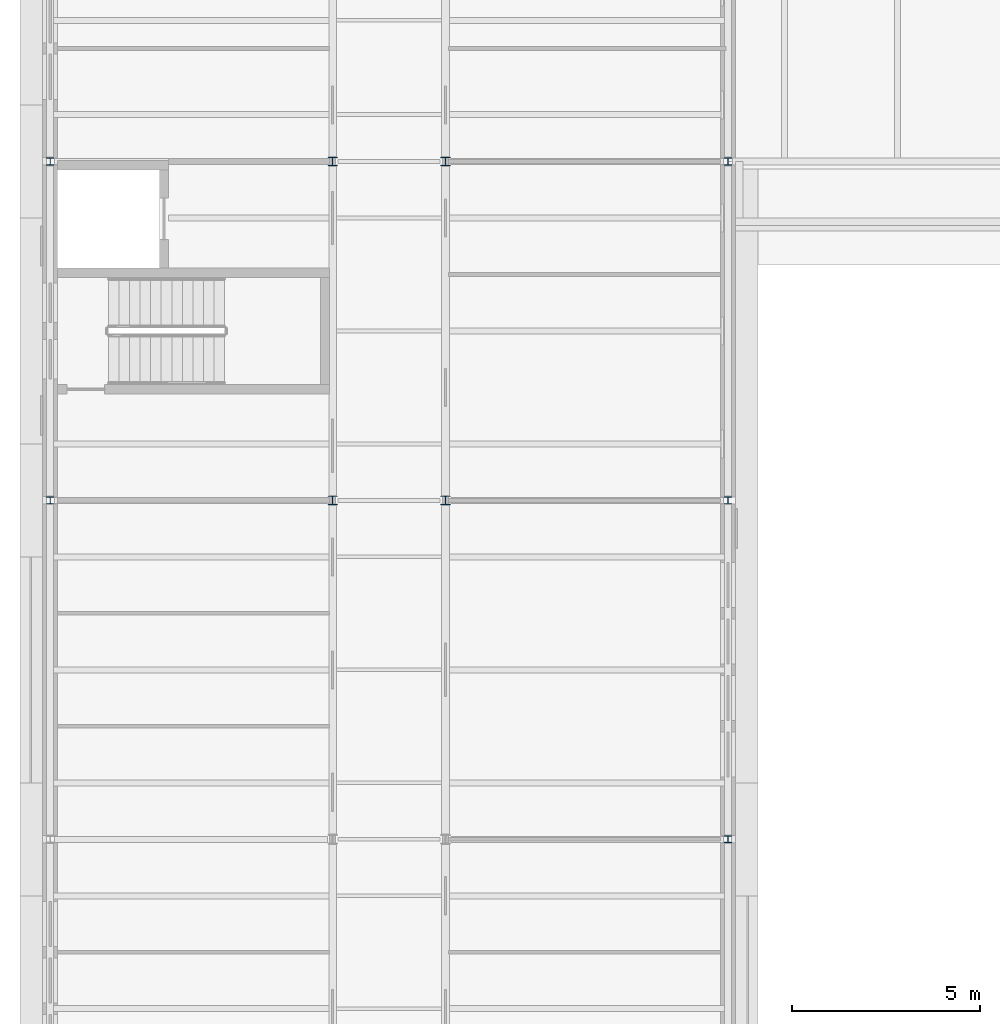
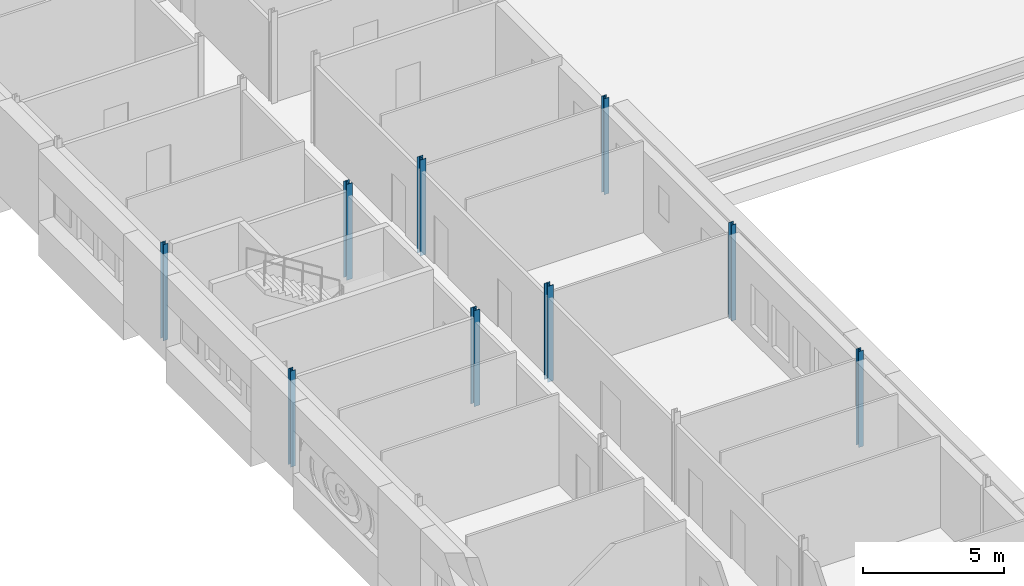
# One storey, part 4 of 42: 9 columns.
"""IFC4 building model written with IfcOpenShell, lengths in metres."""

from ifc_helpers import new_model, si_unit, direction, frame, origin, origin_2d, place, context, subcontext, project, spatial, i_section, extrude, material, material_profile, profile_set, type_object, element, save


model = new_model("IFC4")

# Units and contexts
model_context = context("Model", 3, precision=1e-05, world=origin(), true_north=direction((0.0, 1.0)))
body_context = subcontext(model_context, "Body", "Model", "MODEL_VIEW")
ifc_project = project(units=[si_unit("LENGTHUNIT", "METRE"), si_unit("AREAUNIT", "SQUARE_METRE"), si_unit("VOLUMEUNIT", "CUBIC_METRE"), si_unit("PLANEANGLEUNIT", "RADIAN"), si_unit("MASSUNIT", "GRAM", prefix="KILO")], contexts=[model_context])

# Site, building, storey
site_placement = place(None, origin())
site = spatial("IfcSite", under=ifc_project, at=site_placement, CompositionType="ELEMENT")
building_placement = place(site_placement, origin())
building = spatial("IfcBuilding", under=site, at=building_placement, Name="Golden Quay Civic Hall", CompositionType="ELEMENT")
storey_placement = place(building_placement, frame((0.0, 0.0, 22.800048828125)))
storey = spatial("IfcBuildingStorey", under=building, at=storey_placement, Name="L05", CompositionType="ELEMENT", Elevation=22.800048828125)

# Columns
ifc_material_1 = material(Name="Steel S355", Category="steel")
ifc_material_profile_1 = material_profile(ifc_material_1, i_section(OverallWidth=0.199951171875, OverallDepth=0.18994140625, WebThickness=0.006591796875, FlangeThickness=0.010009765625, FilletRadius=0.01806640625, at=origin_2d()), Name="HEA 200")
ifc_profile_set_1 = profile_set([ifc_material_profile_1], Name="Steel S355")
column_type_1 = type_object("IfcColumnType", Name="Steel column HEA 200", PredefinedType="COLUMN", material=ifc_profile_set_1)
for number, where, z_axis, x_axis, name in (
    (1, (0.0, 54.0, -0.199951171875), (0.0, 0.0, 1.0), (1.0, 0.0, 0.0), "Column 0/54 L05"),
    (2, (0.0, 63.0, -0.199951171875), (0.0, 0.0, 1.0), (1.0, 0.0, 0.0), "Column 0/63 L05"),
    (3, (18.0, 45.0, -0.199951171875), (0.0, 0.0, 1.0), (1.0, 0.0, 0.0), "Column 18/45 L05"),
    (4, (18.0, 54.0, -0.199951171875), (0.0, 0.0, 1.0), (1.0, 0.0, 0.0), "Column 18/54 L05"),
    (5, (18.0, 63.0, -0.199951171875), (0.0, 0.0, 1.0), (1.0, 0.0, 0.0), "Column 18/63 L05"),
):
    element("IfcColumn", number, at=place(storey_placement, frame(where, z_axis=z_axis, x_axis=x_axis)), inside=storey, type_object=column_type_1, Name=name, PredefinedType="COLUMN", context=body_context, shape_type="SweptSolid", body=[
        extrude(i_section(OverallWidth=0.199951171875, OverallDepth=0.18994140625, WebThickness=0.006591796875, FlangeThickness=0.010009765625, FilletRadius=0.01806640625, at=origin_2d()), origin(), (0.0, 0.0, 1.0), 4.14990234375),
    ])
ifc_material_2 = material(Name="Steel S355", Category="steel")
ifc_material_profile_2 = material_profile(ifc_material_2, i_section(OverallWidth=0.239990234375, OverallDepth=0.22998046875, WebThickness=0.007568359375, FlangeThickness=0.011962890625, FilletRadius=0.02099609375, at=origin_2d()), Name="HEA 240")
ifc_profile_set_2 = profile_set([ifc_material_profile_2], Name="Steel S355")
column_type_2 = type_object("IfcColumnType", Name="Steel column HEA 240", PredefinedType="COLUMN", material=ifc_profile_set_2)
for number, where, z_axis, x_axis, name in (
    (6, (7.5, 54.0, -0.199951171875), (0.0, 0.0, 1.0), (1.0, 0.0, 0.0), "Column 7.5/54 L05"),
    (7, (7.5, 63.0, -0.199951171875), (0.0, 0.0, 1.0), (1.0, 0.0, 0.0), "Column 7.5/63 L05"),
    (8, (10.5, 54.0, -0.199951171875), (0.0, 0.0, 1.0), (1.0, 0.0, 0.0), "Column 10.5/54 L05"),
    (9, (10.5, 63.0, -0.199951171875), (0.0, 0.0, 1.0), (1.0, 0.0, 0.0), "Column 10.5/63 L05"),
):
    element("IfcColumn", number, at=place(storey_placement, frame(where, z_axis=z_axis, x_axis=x_axis)), inside=storey, type_object=column_type_2, Name=name, PredefinedType="COLUMN", context=body_context, shape_type="SweptSolid", body=[
        extrude(i_section(OverallWidth=0.239990234375, OverallDepth=0.22998046875, WebThickness=0.007568359375, FlangeThickness=0.011962890625, FilletRadius=0.02099609375, at=origin_2d()), origin(), (0.0, 0.0, 1.0), 4.14990234375),
    ])

save(model, "model.ifc")
